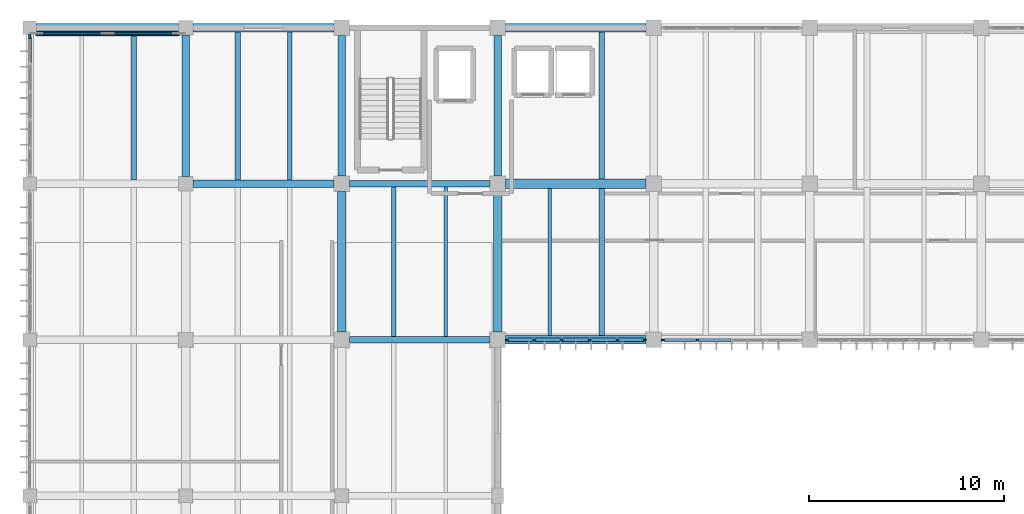
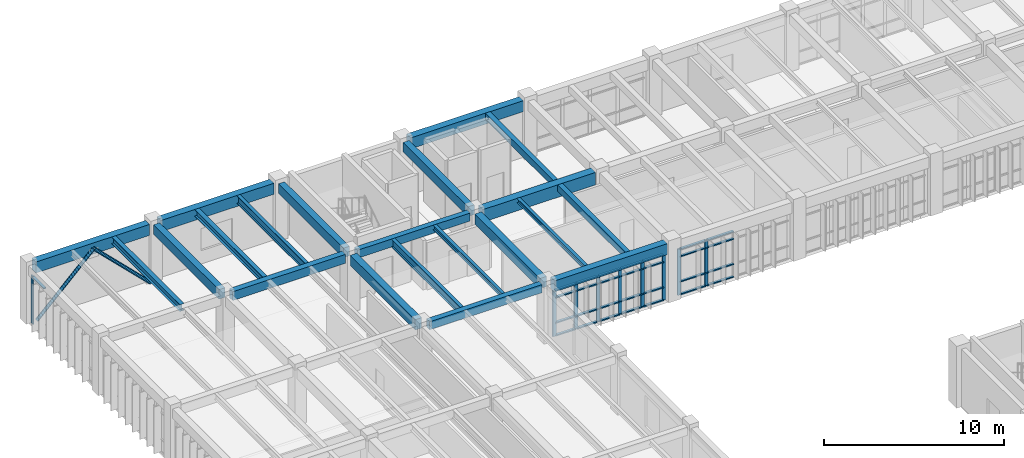
# One storey, part 17 of 67: 40 members, 21 beams, 3 elements without a shape of their own.
"""IFC4 building model written with IfcOpenShell, lengths in metres."""

from ifc_helpers import new_model, si_unit, direction, frame, origin, origin_2d, place, context, subcontext, project, spatial, rectangle, hollow_circle, i_section, extrude, material, material_profile, profile_set, type_object, element, aggregate, save


model = new_model("IFC4")

# Units and contexts
model_context = context("Model", 3, precision=1e-05, world=origin(), true_north=direction((0.0, 1.0)))
body_context = subcontext(model_context, "Body", "Model", "MODEL_VIEW")
ifc_project = project(units=[si_unit("LENGTHUNIT", "METRE"), si_unit("AREAUNIT", "SQUARE_METRE"), si_unit("VOLUMEUNIT", "CUBIC_METRE"), si_unit("PLANEANGLEUNIT", "RADIAN"), si_unit("MASSUNIT", "GRAM", prefix="KILO")], contexts=[model_context])

# Site, building, storey
site_placement = place(None, origin())
site = spatial("IfcSite", under=ifc_project, at=site_placement, CompositionType="ELEMENT")
building_placement = place(site_placement, origin())
building = spatial("IfcBuilding", under=site, at=building_placement, Name="Tlaxcora Railside Police Headquarters", CompositionType="ELEMENT")
storey_placement = place(building_placement, frame((0.0, 0.0, 4.800048828125)))
storey = spatial("IfcBuildingStorey", under=building, at=storey_placement, Name="L01", CompositionType="ELEMENT", Elevation=4.800048828125)

# Curtain wall, members
ifc_material_1 = material(Name="Thermally broken low-E insulated glazing", Category="glass")
curtain_wall_type_1 = type_object("IfcCurtainWallType", Name="Unitised Curtain Wall Assembly CW-23", PredefinedType="NOTDEFINED", material=ifc_material_1)
curtain_wall_1_placement = place(storey_placement, origin())
curtain_wall_1 = element("IfcCurtainWall", 1, at=curtain_wall_1_placement, inside=storey, type_object=curtain_wall_type_1, Name="V5 L01 curtain wall 32", PredefinedType="NOTDEFINED")
ifc_material_2 = material(Name="Anodised aluminium framing", Category="aluminium")
ifc_material_profile_1 = material_profile(ifc_material_2, rectangle(XDim=0.080078125, YDim=0.219970703125, at=origin_2d()), Name="AL80X220")
ifc_profile_set_1 = profile_set([ifc_material_profile_1], Name="Anodised aluminium framing")
member_type_1 = type_object("IfcMemberType", Name="Curtain Wall Mullion CW-31", PredefinedType="MULLION", material=ifc_profile_set_1)
member_1_placement = place(storey_placement, frame((29.68994140625, 76.800048828125, 0.0), z_axis=(0.0, 0.0, 1.0), x_axis=(0.0, 1.0, 0.0)))
member_1 = element("IfcMember", 2, at=member_1_placement, type_object=member_type_1, Name="CW mullion 1", PredefinedType="MULLION", context=body_context, shape_type="SweptSolid", body=[
    extrude(rectangle(XDim=0.080078125, YDim=0.219970703125, at=origin_2d()), origin(), (0.0, 0.0, 1.0), 3.139892578125),
])
member_2_placement = place(storey_placement, frame((31.070068359375, 76.800048828125, 0.0), z_axis=(0.0, 0.0, 1.0), x_axis=(0.0, 1.0, 0.0)))
member_2 = element("IfcMember", 3, at=member_2_placement, type_object=member_type_1, Name="CW mullion 2", PredefinedType="MULLION", context=body_context, shape_type="SweptSolid", body=[
    extrude(rectangle(XDim=0.080078125, YDim=0.219970703125, at=origin_2d()), origin(), (0.0, 0.0, 1.0), 3.139892578125),
])
member_3_placement = place(storey_placement, frame((32.489990234375, 76.800048828125, 0.0), z_axis=(0.0, 0.0, 1.0), x_axis=(0.0, 1.0, 0.0)))
member_3 = element("IfcMember", 4, at=member_3_placement, type_object=member_type_1, Name="CW mullion 3", PredefinedType="MULLION", context=body_context, shape_type="SweptSolid", body=[
    extrude(rectangle(XDim=0.080078125, YDim=0.219970703125, at=origin_2d()), origin(), (0.0, 0.0, 1.0), 3.139892578125),
])
member_4_placement = place(storey_placement, frame((33.909912109375, 76.800048828125, 0.0), z_axis=(0.0, 0.0, 1.0), x_axis=(0.0, 1.0, 0.0)))
member_4 = element("IfcMember", 5, at=member_4_placement, type_object=member_type_1, Name="CW mullion 4", PredefinedType="MULLION", context=body_context, shape_type="SweptSolid", body=[
    extrude(rectangle(XDim=0.080078125, YDim=0.219970703125, at=origin_2d()), origin(), (0.0, 0.0, 1.0), 3.139892578125),
])
member_5_placement = place(storey_placement, frame((35.330078125, 76.800048828125, 0.0), z_axis=(0.0, 0.0, 1.0), x_axis=(0.0, 1.0, 0.0)))
member_5 = element("IfcMember", 6, at=member_5_placement, type_object=member_type_1, Name="CW mullion 5", PredefinedType="MULLION", context=body_context, shape_type="SweptSolid", body=[
    extrude(rectangle(XDim=0.080078125, YDim=0.219970703125, at=origin_2d()), origin(), (0.0, 0.0, 1.0), 3.139892578125),
])
member_6_placement = place(storey_placement, frame((36.7099609375, 76.800048828125, 0.0), z_axis=(0.0, 0.0, 1.0), x_axis=(0.0, 1.0, 0.0)))
member_6 = element("IfcMember", 7, at=member_6_placement, type_object=member_type_1, Name="CW mullion 6", PredefinedType="MULLION", context=body_context, shape_type="SweptSolid", body=[
    extrude(rectangle(XDim=0.080078125, YDim=0.219970703125, at=origin_2d()), origin(), (0.0, 0.0, 1.0), 3.139892578125),
])

# Curtain wall, member
curtain_wall_2_placement = place(storey_placement, origin())
curtain_wall_2 = element("IfcCurtainWall", 8, at=curtain_wall_2_placement, inside=storey, type_object=curtain_wall_type_1, Name="V5 L01 curtain wall 44", PredefinedType="NOTDEFINED")
member_7_placement = place(storey_placement, frame((5.199951171875, 92.360107421875, 0.0), z_axis=(0.0, 0.0, 1.0), x_axis=(1.0, 0.0, 0.0)))
member_7 = element("IfcMember", 9, at=member_7_placement, type_object=member_type_1, Name="CW mullion 1", PredefinedType="MULLION", context=body_context, shape_type="SweptSolid", body=[
    extrude(rectangle(XDim=0.080078125, YDim=0.219970703125, at=origin_2d()), origin(), (0.0, 0.0, 1.0), 3.239990234375),
])

# Curtain wall, members
curtain_wall_type_2 = type_object("IfcCurtainWallType", Name="Unitised Curtain Wall Assembly CW-38", PredefinedType="NOTDEFINED", material=ifc_material_1)
curtain_wall_3_placement = place(storey_placement, origin())
curtain_wall_3 = element("IfcCurtainWall", 10, at=curtain_wall_3_placement, inside=storey, type_object=curtain_wall_type_2, Name="V5 L01 curtain wall 33", PredefinedType="NOTDEFINED")
ifc_material_profile_2 = material_profile(ifc_material_2, rectangle(XDim=0.074951171875, YDim=0.205078125, at=origin_2d()), Name="AL75X205")
ifc_profile_set_2 = profile_set([ifc_material_profile_2], Name="Anodised aluminium framing")
member_type_2 = type_object("IfcMemberType", Name="Curtain Wall Mullion CW-32", PredefinedType="MULLION", material=ifc_profile_set_2)
member_8_placement = place(storey_placement, frame((37.6875, 76.800048828125, 0.0), z_axis=(0.0, 0.0, 1.0), x_axis=(0.0, 1.0, 0.0)))
member_8 = element("IfcMember", 11, at=member_8_placement, type_object=member_type_2, Name="CW mullion 1", PredefinedType="MULLION", context=body_context, shape_type="SweptSolid", body=[
    extrude(rectangle(XDim=0.074951171875, YDim=0.205078125, at=origin_2d()), origin(), (0.0, 0.0, 1.0), 3.139892578125),
])
member_9_placement = place(storey_placement, frame((39.425048828125, 76.800048828125, 0.0), z_axis=(0.0, 0.0, 1.0), x_axis=(0.0, 1.0, 0.0)))
member_9 = element("IfcMember", 12, at=member_9_placement, type_object=member_type_2, Name="CW mullion 2", PredefinedType="MULLION", context=body_context, shape_type="SweptSolid", body=[
    extrude(rectangle(XDim=0.074951171875, YDim=0.205078125, at=origin_2d()), origin(), (0.0, 0.0, 1.0), 3.139892578125),
])
ifc_material_profile_3 = material_profile(ifc_material_2, rectangle(XDim=0.155029296875, YDim=0.074951171875, at=origin_2d()), Name="AL75X155")
ifc_profile_set_3 = profile_set([ifc_material_profile_3], Name="Anodised aluminium framing")
member_type_3 = type_object("IfcMemberType", Name="Curtain Wall Transom CW-30", PredefinedType="USERDEFINED", material=ifc_profile_set_3)
member_10_placement = place(storey_placement, frame((37.72509765625, 76.800048828125, 0.037353515625), z_axis=(1.0, 0.0, 0.0), x_axis=(0.0, 1.0, 0.0)))
member_10 = element("IfcMember", 13, at=member_10_placement, type_object=member_type_3, Name="CW transom 1.1", ObjectType="TRANSOM", PredefinedType="USERDEFINED", context=body_context, shape_type="SweptSolid", body=[
    extrude(rectangle(XDim=0.155029296875, YDim=0.074951171875, at=origin_2d()), origin(), (0.0, 0.0, 1.0), 1.662353515625),
])
member_11_placement = place(storey_placement, frame((37.72509765625, 76.800048828125, 0.89990234375), z_axis=(1.0, 0.0, 0.0), x_axis=(0.0, 1.0, 0.0)))
member_11 = element("IfcMember", 14, at=member_11_placement, type_object=member_type_3, Name="CW transom 1.2", ObjectType="TRANSOM", PredefinedType="USERDEFINED", context=body_context, shape_type="SweptSolid", body=[
    extrude(rectangle(XDim=0.155029296875, YDim=0.074951171875, at=origin_2d()), origin(), (0.0, 0.0, 1.0), 1.662353515625),
])
member_12_placement = place(storey_placement, frame((37.72509765625, 76.800048828125, 2.60986328125), z_axis=(1.0, 0.0, 0.0), x_axis=(0.0, 1.0, 0.0)))
member_12 = element("IfcMember", 15, at=member_12_placement, type_object=member_type_3, Name="CW transom 1.3", ObjectType="TRANSOM", PredefinedType="USERDEFINED", context=body_context, shape_type="SweptSolid", body=[
    extrude(rectangle(XDim=0.155029296875, YDim=0.074951171875, at=origin_2d()), origin(), (0.0, 0.0, 1.0), 1.662353515625),
])
member_13_placement = place(storey_placement, frame((37.72509765625, 76.800048828125, 3.1025390625), z_axis=(1.0, 0.0, 0.0), x_axis=(0.0, 1.0, 0.0)))
member_13 = element("IfcMember", 16, at=member_13_placement, type_object=member_type_3, Name="CW transom 1.4", ObjectType="TRANSOM", PredefinedType="USERDEFINED", context=body_context, shape_type="SweptSolid", body=[
    extrude(rectangle(XDim=0.155029296875, YDim=0.074951171875, at=origin_2d()), origin(), (0.0, 0.0, 1.0), 1.662353515625),
])
member_14_placement = place(storey_placement, frame((39.46240234375, 76.800048828125, 0.037353515625), z_axis=(1.0, 0.0, 0.0), x_axis=(0.0, 1.0, 0.0)))
member_14 = element("IfcMember", 17, at=member_14_placement, type_object=member_type_3, Name="CW transom 2.1", ObjectType="TRANSOM", PredefinedType="USERDEFINED", context=body_context, shape_type="SweptSolid", body=[
    extrude(rectangle(XDim=0.155029296875, YDim=0.074951171875, at=origin_2d()), origin(), (0.0, 0.0, 1.0), 1.7001953125),
])
member_15_placement = place(storey_placement, frame((39.46240234375, 76.800048828125, 0.89990234375), z_axis=(1.0, 0.0, 0.0), x_axis=(0.0, 1.0, 0.0)))
member_15 = element("IfcMember", 18, at=member_15_placement, type_object=member_type_3, Name="CW transom 2.2", ObjectType="TRANSOM", PredefinedType="USERDEFINED", context=body_context, shape_type="SweptSolid", body=[
    extrude(rectangle(XDim=0.155029296875, YDim=0.074951171875, at=origin_2d()), origin(), (0.0, 0.0, 1.0), 1.7001953125),
])
member_16_placement = place(storey_placement, frame((39.46240234375, 76.800048828125, 2.60986328125), z_axis=(1.0, 0.0, 0.0), x_axis=(0.0, 1.0, 0.0)))
member_16 = element("IfcMember", 19, at=member_16_placement, type_object=member_type_3, Name="CW transom 2.3", ObjectType="TRANSOM", PredefinedType="USERDEFINED", context=body_context, shape_type="SweptSolid", body=[
    extrude(rectangle(XDim=0.155029296875, YDim=0.074951171875, at=origin_2d()), origin(), (0.0, 0.0, 1.0), 1.7001953125),
])
member_17_placement = place(storey_placement, frame((39.46240234375, 76.800048828125, 3.1025390625), z_axis=(1.0, 0.0, 0.0), x_axis=(0.0, 1.0, 0.0)))
member_17 = element("IfcMember", 20, at=member_17_placement, type_object=member_type_3, Name="CW transom 2.4", ObjectType="TRANSOM", PredefinedType="USERDEFINED", context=body_context, shape_type="SweptSolid", body=[
    extrude(rectangle(XDim=0.155029296875, YDim=0.074951171875, at=origin_2d()), origin(), (0.0, 0.0, 1.0), 1.7001953125),
])
aggregate(curtain_wall_3, [member_8, member_9, member_10, member_11, member_12, member_13, member_14, member_15, member_16, member_17])

# Member
ifc_material_profile_4 = material_profile(ifc_material_2, rectangle(XDim=0.1650390625, YDim=0.080078125, at=origin_2d()), Name="AL80X165")
ifc_profile_set_4 = profile_set([ifc_material_profile_4], Name="Anodised aluminium framing")
member_type_4 = type_object("IfcMemberType", Name="Curtain Wall Transom CW-62", PredefinedType="USERDEFINED", material=ifc_profile_set_4)
member_18_placement = place(storey_placement, frame((29.72998046875, 76.800048828125, 0.0400390625), z_axis=(1.0, 0.0, 0.0), x_axis=(0.0, 1.0, 0.0)))
member_18 = element("IfcMember", 21, at=member_18_placement, type_object=member_type_4, Name="CW transom 1.1", ObjectType="TRANSOM", PredefinedType="USERDEFINED", context=body_context, shape_type="SweptSolid", body=[
    extrude(rectangle(XDim=0.1650390625, YDim=0.080078125, at=origin_2d()), origin(), (0.0, 0.0, 1.0), 1.300048828125),
])

member_19_placement = place(storey_placement, frame((29.72998046875, 76.800048828125, 0.89990234375), z_axis=(1.0, 0.0, 0.0), x_axis=(0.0, 1.0, 0.0)))
member_19 = element("IfcMember", 22, at=member_19_placement, type_object=member_type_4, Name="CW transom 1.2", ObjectType="TRANSOM", PredefinedType="USERDEFINED", context=body_context, shape_type="SweptSolid", body=[
    extrude(rectangle(XDim=0.1650390625, YDim=0.080078125, at=origin_2d()), origin(), (0.0, 0.0, 1.0), 1.300048828125),
])

member_20_placement = place(storey_placement, frame((29.72998046875, 76.800048828125, 2.60986328125), z_axis=(1.0, 0.0, 0.0), x_axis=(0.0, 1.0, 0.0)))
member_20 = element("IfcMember", 23, at=member_20_placement, type_object=member_type_4, Name="CW transom 1.3", ObjectType="TRANSOM", PredefinedType="USERDEFINED", context=body_context, shape_type="SweptSolid", body=[
    extrude(rectangle(XDim=0.1650390625, YDim=0.080078125, at=origin_2d()), origin(), (0.0, 0.0, 1.0), 1.300048828125),
])

member_21_placement = place(storey_placement, frame((29.72998046875, 76.800048828125, 3.099853515625), z_axis=(1.0, 0.0, 0.0), x_axis=(0.0, 1.0, 0.0)))
member_21 = element("IfcMember", 24, at=member_21_placement, type_object=member_type_4, Name="CW transom 1.4", ObjectType="TRANSOM", PredefinedType="USERDEFINED", context=body_context, shape_type="SweptSolid", body=[
    extrude(rectangle(XDim=0.1650390625, YDim=0.080078125, at=origin_2d()), origin(), (0.0, 0.0, 1.0), 1.300048828125),
])

member_22_placement = place(storey_placement, frame((31.110107421875, 76.800048828125, 0.0400390625), z_axis=(1.0, 0.0, 0.0), x_axis=(0.0, 1.0, 0.0)))
member_22 = element("IfcMember", 25, at=member_22_placement, type_object=member_type_4, Name="CW transom 2.1", ObjectType="TRANSOM", PredefinedType="USERDEFINED", context=body_context, shape_type="SweptSolid", body=[
    extrude(rectangle(XDim=0.1650390625, YDim=0.080078125, at=origin_2d()), origin(), (0.0, 0.0, 1.0), 1.33984375),
])

member_23_placement = place(storey_placement, frame((31.110107421875, 76.800048828125, 0.89990234375), z_axis=(1.0, 0.0, 0.0), x_axis=(0.0, 1.0, 0.0)))
member_23 = element("IfcMember", 26, at=member_23_placement, type_object=member_type_4, Name="CW transom 2.2", ObjectType="TRANSOM", PredefinedType="USERDEFINED", context=body_context, shape_type="SweptSolid", body=[
    extrude(rectangle(XDim=0.1650390625, YDim=0.080078125, at=origin_2d()), origin(), (0.0, 0.0, 1.0), 1.33984375),
])

member_24_placement = place(storey_placement, frame((31.110107421875, 76.800048828125, 2.60986328125), z_axis=(1.0, 0.0, 0.0), x_axis=(0.0, 1.0, 0.0)))
member_24 = element("IfcMember", 27, at=member_24_placement, type_object=member_type_4, Name="CW transom 2.3", ObjectType="TRANSOM", PredefinedType="USERDEFINED", context=body_context, shape_type="SweptSolid", body=[
    extrude(rectangle(XDim=0.1650390625, YDim=0.080078125, at=origin_2d()), origin(), (0.0, 0.0, 1.0), 1.33984375),
])

member_25_placement = place(storey_placement, frame((31.110107421875, 76.800048828125, 3.099853515625), z_axis=(1.0, 0.0, 0.0), x_axis=(0.0, 1.0, 0.0)))
member_25 = element("IfcMember", 28, at=member_25_placement, type_object=member_type_4, Name="CW transom 2.4", ObjectType="TRANSOM", PredefinedType="USERDEFINED", context=body_context, shape_type="SweptSolid", body=[
    extrude(rectangle(XDim=0.1650390625, YDim=0.080078125, at=origin_2d()), origin(), (0.0, 0.0, 1.0), 1.33984375),
])

member_26_placement = place(storey_placement, frame((32.530029296875, 76.800048828125, 0.0400390625), z_axis=(1.0, 0.0, 0.0), x_axis=(0.0, 1.0, 0.0)))
member_26 = element("IfcMember", 29, at=member_26_placement, type_object=member_type_4, Name="CW transom 3.1", ObjectType="TRANSOM", PredefinedType="USERDEFINED", context=body_context, shape_type="SweptSolid", body=[
    extrude(rectangle(XDim=0.1650390625, YDim=0.080078125, at=origin_2d()), origin(), (0.0, 0.0, 1.0), 1.340087890625),
])

member_27_placement = place(storey_placement, frame((32.530029296875, 76.800048828125, 0.89990234375), z_axis=(1.0, 0.0, 0.0), x_axis=(0.0, 1.0, 0.0)))
member_27 = element("IfcMember", 30, at=member_27_placement, type_object=member_type_4, Name="CW transom 3.2", ObjectType="TRANSOM", PredefinedType="USERDEFINED", context=body_context, shape_type="SweptSolid", body=[
    extrude(rectangle(XDim=0.1650390625, YDim=0.080078125, at=origin_2d()), origin(), (0.0, 0.0, 1.0), 1.340087890625),
])

member_28_placement = place(storey_placement, frame((32.530029296875, 76.800048828125, 2.60986328125), z_axis=(1.0, 0.0, 0.0), x_axis=(0.0, 1.0, 0.0)))
member_28 = element("IfcMember", 31, at=member_28_placement, type_object=member_type_4, Name="CW transom 3.3", ObjectType="TRANSOM", PredefinedType="USERDEFINED", context=body_context, shape_type="SweptSolid", body=[
    extrude(rectangle(XDim=0.1650390625, YDim=0.080078125, at=origin_2d()), origin(), (0.0, 0.0, 1.0), 1.340087890625),
])

member_29_placement = place(storey_placement, frame((32.530029296875, 76.800048828125, 3.099853515625), z_axis=(1.0, 0.0, 0.0), x_axis=(0.0, 1.0, 0.0)))
member_29 = element("IfcMember", 32, at=member_29_placement, type_object=member_type_4, Name="CW transom 3.4", ObjectType="TRANSOM", PredefinedType="USERDEFINED", context=body_context, shape_type="SweptSolid", body=[
    extrude(rectangle(XDim=0.1650390625, YDim=0.080078125, at=origin_2d()), origin(), (0.0, 0.0, 1.0), 1.340087890625),
])

member_30_placement = place(storey_placement, frame((33.949951171875, 76.800048828125, 0.0400390625), z_axis=(1.0, 0.0, 0.0), x_axis=(0.0, 1.0, 0.0)))
member_30 = element("IfcMember", 33, at=member_30_placement, type_object=member_type_4, Name="CW transom 4.1", ObjectType="TRANSOM", PredefinedType="USERDEFINED", context=body_context, shape_type="SweptSolid", body=[
    extrude(rectangle(XDim=0.1650390625, YDim=0.080078125, at=origin_2d()), origin(), (0.0, 0.0, 1.0), 1.340087890625),
])

member_31_placement = place(storey_placement, frame((33.949951171875, 76.800048828125, 0.89990234375), z_axis=(1.0, 0.0, 0.0), x_axis=(0.0, 1.0, 0.0)))
member_31 = element("IfcMember", 34, at=member_31_placement, type_object=member_type_4, Name="CW transom 4.2", ObjectType="TRANSOM", PredefinedType="USERDEFINED", context=body_context, shape_type="SweptSolid", body=[
    extrude(rectangle(XDim=0.1650390625, YDim=0.080078125, at=origin_2d()), origin(), (0.0, 0.0, 1.0), 1.340087890625),
])

member_32_placement = place(storey_placement, frame((33.949951171875, 76.800048828125, 2.60986328125), z_axis=(1.0, 0.0, 0.0), x_axis=(0.0, 1.0, 0.0)))
member_32 = element("IfcMember", 35, at=member_32_placement, type_object=member_type_4, Name="CW transom 4.3", ObjectType="TRANSOM", PredefinedType="USERDEFINED", context=body_context, shape_type="SweptSolid", body=[
    extrude(rectangle(XDim=0.1650390625, YDim=0.080078125, at=origin_2d()), origin(), (0.0, 0.0, 1.0), 1.340087890625),
])

member_33_placement = place(storey_placement, frame((33.949951171875, 76.800048828125, 3.099853515625), z_axis=(1.0, 0.0, 0.0), x_axis=(0.0, 1.0, 0.0)))
member_33 = element("IfcMember", 36, at=member_33_placement, type_object=member_type_4, Name="CW transom 4.4", ObjectType="TRANSOM", PredefinedType="USERDEFINED", context=body_context, shape_type="SweptSolid", body=[
    extrude(rectangle(XDim=0.1650390625, YDim=0.080078125, at=origin_2d()), origin(), (0.0, 0.0, 1.0), 1.340087890625),
])

member_34_placement = place(storey_placement, frame((35.3701171875, 76.800048828125, 0.0400390625), z_axis=(1.0, 0.0, 0.0), x_axis=(0.0, 1.0, 0.0)))
member_34 = element("IfcMember", 37, at=member_34_placement, type_object=member_type_4, Name="CW transom 5.1", ObjectType="TRANSOM", PredefinedType="USERDEFINED", context=body_context, shape_type="SweptSolid", body=[
    extrude(rectangle(XDim=0.1650390625, YDim=0.080078125, at=origin_2d()), origin(), (0.0, 0.0, 1.0), 1.2998046875),
])

member_35_placement = place(storey_placement, frame((35.3701171875, 76.800048828125, 0.89990234375), z_axis=(1.0, 0.0, 0.0), x_axis=(0.0, 1.0, 0.0)))
member_35 = element("IfcMember", 38, at=member_35_placement, type_object=member_type_4, Name="CW transom 5.2", ObjectType="TRANSOM", PredefinedType="USERDEFINED", context=body_context, shape_type="SweptSolid", body=[
    extrude(rectangle(XDim=0.1650390625, YDim=0.080078125, at=origin_2d()), origin(), (0.0, 0.0, 1.0), 1.2998046875),
])

member_36_placement = place(storey_placement, frame((35.3701171875, 76.800048828125, 2.60986328125), z_axis=(1.0, 0.0, 0.0), x_axis=(0.0, 1.0, 0.0)))
member_36 = element("IfcMember", 39, at=member_36_placement, type_object=member_type_4, Name="CW transom 5.3", ObjectType="TRANSOM", PredefinedType="USERDEFINED", context=body_context, shape_type="SweptSolid", body=[
    extrude(rectangle(XDim=0.1650390625, YDim=0.080078125, at=origin_2d()), origin(), (0.0, 0.0, 1.0), 1.2998046875),
])

member_37_placement = place(storey_placement, frame((35.3701171875, 76.800048828125, 3.099853515625), z_axis=(1.0, 0.0, 0.0), x_axis=(0.0, 1.0, 0.0)))
member_37 = element("IfcMember", 40, at=member_37_placement, type_object=member_type_4, Name="CW transom 5.4", ObjectType="TRANSOM", PredefinedType="USERDEFINED", context=body_context, shape_type="SweptSolid", body=[
    extrude(rectangle(XDim=0.1650390625, YDim=0.080078125, at=origin_2d()), origin(), (0.0, 0.0, 1.0), 1.2998046875),
])

aggregate(curtain_wall_1, [member_1, member_2, member_3, member_4, member_5, member_6, member_18, member_19, member_20, member_21, member_22, member_23, member_24, member_25, member_26, member_27, member_28, member_29, member_30, member_31, member_32, member_33, member_34, member_35, member_36, member_37])

member_38_placement = place(storey_placement, frame((5.199951171875, 92.320068359375, 3.199951171875), z_axis=(0.0, -1.0, 0.0), x_axis=(1.0, 0.0, 0.0)))
member_38 = element("IfcMember", 41, at=member_38_placement, type_object=member_type_4, Name="CW transom 1.4", ObjectType="TRANSOM", PredefinedType="USERDEFINED", context=body_context, shape_type="SweptSolid", body=[
    extrude(rectangle(XDim=0.1650390625, YDim=0.080078125, at=origin_2d()), origin(), (0.0, 0.0, 1.0), 1.320068359375),
])

aggregate(curtain_wall_2, [member_7, member_38])

# Members
ifc_material_3 = material(Name="Steel ASTM A992 Grade 50", Category="steel")
ifc_material_profile_5 = material_profile(ifc_material_3, hollow_circle(Radius=0.109619140625, WallThickness=0.010009765625, at=origin_2d()), Name="CHS219X10")
ifc_profile_set_5 = profile_set([ifc_material_profile_5], Name="Steel ASTM A992 Grade 50")
member_type_5 = type_object("IfcMemberType", Name="Diagonal Brace Member MB-18", PredefinedType="BRACE", material=ifc_profile_set_5)
member_39_placement = place(storey_placement, frame((5.550048828125, 92.5, 0.0), z_axis=(0.711971340796, 0.0, 0.702208523079), x_axis=(0.0, 1.0, 0.0)))
element("IfcMember", 42, at=member_39_placement, inside=storey, type_object=member_type_5, Name="Chevron brace 1A", PredefinedType="BRACE", context=body_context, shape_type="SweptSolid", body=[
    extrude(hollow_circle(Radius=0.109619140625, WallThickness=0.010009765625, at=origin_2d()), origin(), (0.0, 0.0, 1.0), 5.12646484375),
])
member_40_placement = place(storey_placement, frame((12.85009765625, 92.5, 0.0), z_axis=(-0.711994822598, 0.0, 0.702184714013), x_axis=(0.0, -1.0, 0.0)))
element("IfcMember", 43, at=member_40_placement, inside=storey, type_object=member_type_5, Name="Chevron brace 1B", PredefinedType="BRACE", context=body_context, shape_type="SweptSolid", body=[
    extrude(hollow_circle(Radius=0.109619140625, WallThickness=0.010009765625, at=origin_2d()), origin(), (0.0, 0.0, 1.0), 5.126708984375),
])

# Beams
ifc_material_4 = material(Name="Concrete C40/50", Category="concrete")
ifc_material_profile_6 = material_profile(ifc_material_4, rectangle(XDim=0.449951171875, YDim=0.75, at=origin_2d()), Name="RC450X750")
ifc_profile_set_6 = profile_set([ifc_material_profile_6], Name="Concrete C40/50")
beam_type_1 = type_object("IfcBeamType", Name="Perimeter Spandrel Beam BM-86", PredefinedType="SPANDREL", material=ifc_profile_set_6)
beam_1_placement = place(storey_placement, frame((29.590087890625, 76.800048828125, 3.534912109375), z_axis=(1.0, 0.0, 0.0), x_axis=(0.0, 1.0, 0.0)))
element("IfcBeam", 44, at=beam_1_placement, inside=storey, type_object=beam_type_1, Name="V5 L01 X-girder Y=76.8", PredefinedType="SPANDREL", context=body_context, shape_type="SweptSolid", body=[
    extrude(rectangle(XDim=0.449951171875, YDim=0.75, at=origin_2d()), origin(), (0.0, 0.0, 1.0), 7.219970703125),
])
beam_2_placement = place(storey_placement, frame((5.5400390625, 92.800048828125, 3.534912109375), z_axis=(1.0, 0.0, 0.0), x_axis=(0.0, 1.0, 0.0)))
element("IfcBeam", 45, at=beam_2_placement, inside=storey, type_object=beam_type_1, Name="V5 L01 X-girder Y=92.8", PredefinedType="SPANDREL", context=body_context, shape_type="SweptSolid", body=[
    extrude(rectangle(XDim=0.449951171875, YDim=0.75, at=origin_2d()), origin(), (0.0, 0.0, 1.0), 7.294921875),
])
beam_3_placement = place(storey_placement, frame((13.56494140625, 92.800048828125, 3.534912109375), z_axis=(1.0, 0.0, 0.0), x_axis=(0.0, 1.0, 0.0)))
element("IfcBeam", 46, at=beam_3_placement, inside=storey, type_object=beam_type_1, Name="V5 L01 X-girder Y=92.8", PredefinedType="SPANDREL", context=body_context, shape_type="SweptSolid", body=[
    extrude(rectangle(XDim=0.449951171875, YDim=0.75, at=origin_2d()), origin(), (0.0, 0.0, 1.0), 7.2451171875),
])
beam_4_placement = place(storey_placement, frame((29.590087890625, 92.800048828125, 3.534912109375), z_axis=(1.0, 0.0, 0.0), x_axis=(0.0, 1.0, 0.0)))
element("IfcBeam", 47, at=beam_4_placement, inside=storey, type_object=beam_type_1, Name="V5 L01 X-girder Y=92.8", PredefinedType="SPANDREL", context=body_context, shape_type="SweptSolid", body=[
    extrude(rectangle(XDim=0.449951171875, YDim=0.75, at=origin_2d()), origin(), (0.0, 0.0, 1.0), 7.219970703125),
])
ifc_material_profile_7 = material_profile(ifc_material_4, rectangle(XDim=0.3798828125, YDim=0.60009765625, at=origin_2d()), Name="RC380X600")
ifc_profile_set_7 = profile_set([ifc_material_profile_7], Name="Concrete C40/50")
beam_type_2 = type_object("IfcBeamType", Name="Primary Frame Girder BM-22", PredefinedType="BEAM", material=ifc_profile_set_7)
beam_5_placement = place(storey_placement, frame((13.56494140625, 84.800048828125, 3.60986328125), z_axis=(1.0, 0.0, 0.0), x_axis=(0.0, 1.0, 0.0)))
element("IfcBeam", 48, at=beam_5_placement, inside=storey, type_object=beam_type_2, Name="V5 L01 X-girder Y=84.8", PredefinedType="BEAM", context=body_context, shape_type="SweptSolid", body=[
    extrude(rectangle(XDim=0.3798828125, YDim=0.60009765625, at=origin_2d()), origin(), (0.0, 0.0, 1.0), 7.2451171875),
])
ifc_material_profile_8 = material_profile(ifc_material_4, rectangle(XDim=0.419921875, YDim=0.699951171875, at=origin_2d()), Name="RC420X700")
ifc_profile_set_8 = profile_set([ifc_material_profile_8], Name="Concrete C40/50")
beam_type_3 = type_object("IfcBeamType", Name="Primary Frame Girder BM-35", PredefinedType="BEAM", material=ifc_profile_set_8)
for number, where, z_axis, x_axis, name in (
    (49, (21.199951171875, 77.18994140625, 3.56005859375), (0.0, 1.0, 0.0), (-1.0, 0.0, 0.0), "V5 L01 Y-girder X=21.2"),
    (50, (29.199951171875, 77.18994140625, 3.56005859375), (0.0, 1.0, 0.0), (-1.0, 0.0, 0.0), "V5 L01 Y-girder X=29.2"),
):
    element("IfcBeam", number, at=place(storey_placement, frame(where, z_axis=z_axis, x_axis=x_axis)), inside=storey, type_object=beam_type_3, Name=name, PredefinedType="BEAM", context=body_context, shape_type="SweptSolid", body=[
        extrude(rectangle(XDim=0.419921875, YDim=0.699951171875, at=origin_2d()), origin(), (0.0, 0.0, 1.0), 7.219970703125),
    ])
ifc_material_profile_9 = material_profile(ifc_material_4, rectangle(XDim=0.35009765625, YDim=0.550048828125, at=origin_2d()), Name="RC350X550")
ifc_profile_set_9 = profile_set([ifc_material_profile_9], Name="Concrete C40/50")
beam_type_4 = type_object("IfcBeamType", Name="Primary Frame Girder BM-39", PredefinedType="BEAM", material=ifc_profile_set_9)
for number, where, z_axis, x_axis, name in (
    (51, (21.590087890625, 76.800048828125, 3.635009765625), (1.0, 0.0, 0.0), (0.0, 1.0, 0.0), "V5 L01 X-girder Y=76.8"),
    (52, (21.590087890625, 84.800048828125, 3.635009765625), (1.0, 0.0, 0.0), (0.0, 1.0, 0.0), "V5 L01 X-girder Y=84.8"),
):
    element("IfcBeam", number, at=place(storey_placement, frame(where, z_axis=z_axis, x_axis=x_axis)), inside=storey, type_object=beam_type_4, Name=name, PredefinedType="BEAM", context=body_context, shape_type="SweptSolid", body=[
        extrude(rectangle(XDim=0.35009765625, YDim=0.550048828125, at=origin_2d()), origin(), (0.0, 0.0, 1.0), 7.219970703125),
    ])
ifc_material_profile_10 = material_profile(ifc_material_4, rectangle(XDim=0.39990234375, YDim=0.64990234375, at=origin_2d()), Name="RC400X650")
ifc_profile_set_10 = profile_set([ifc_material_profile_10], Name="Concrete C40/50")
beam_type_5 = type_object("IfcBeamType", Name="Primary Frame Girder BM-41", PredefinedType="BEAM", material=ifc_profile_set_10)
beam_6_placement = place(storey_placement, frame((13.199951171875, 85.1650390625, 3.5849609375), z_axis=(0.0, 1.0, 0.0), x_axis=(-1.0, 0.0, 0.0)))
element("IfcBeam", 53, at=beam_6_placement, inside=storey, type_object=beam_type_5, Name="V5 L01 Y-girder X=13.2", PredefinedType="BEAM", context=body_context, shape_type="SweptSolid", body=[
    extrude(rectangle(XDim=0.39990234375, YDim=0.64990234375, at=origin_2d()), origin(), (0.0, 0.0, 1.0), 7.27001953125),
])
for number, where, z_axis, x_axis, name in (
    (54, (21.199951171875, 85.18994140625, 3.5849609375), (0.0, 1.0, 0.0), (-1.0, 0.0, 0.0), "V5 L01 Y-girder X=21.2"),
    (55, (29.199951171875, 85.18994140625, 3.5849609375), (0.0, 1.0, 0.0), (-1.0, 0.0, 0.0), "V5 L01 Y-girder X=29.2"),
):
    element("IfcBeam", number, at=place(storey_placement, frame(where, z_axis=z_axis, x_axis=x_axis)), inside=storey, type_object=beam_type_5, Name=name, PredefinedType="BEAM", context=body_context, shape_type="SweptSolid", body=[
        extrude(rectangle(XDim=0.39990234375, YDim=0.64990234375, at=origin_2d()), origin(), (0.0, 0.0, 1.0), 7.219970703125),
    ])
ifc_material_profile_11 = material_profile(ifc_material_4, rectangle(XDim=0.5, YDim=0.85009765625, at=origin_2d()), Name="RC500X850")
ifc_profile_set_11 = profile_set([ifc_material_profile_11], Name="Concrete C40/50")
beam_type_6 = type_object("IfcBeamType", Name="Primary Frame Girder BM-64", PredefinedType="BEAM", material=ifc_profile_set_11)
beam_7_placement = place(storey_placement, frame((29.590087890625, 84.800048828125, 3.48486328125), z_axis=(1.0, 0.0, 0.0), x_axis=(0.0, 1.0, 0.0)))
element("IfcBeam", 56, at=beam_7_placement, inside=storey, type_object=beam_type_6, Name="V5 L01 X-girder Y=84.8", PredefinedType="BEAM", context=body_context, shape_type="SweptSolid", body=[
    extrude(rectangle(XDim=0.5, YDim=0.85009765625, at=origin_2d()), origin(), (0.0, 0.0, 1.0), 7.219970703125),
])
ifc_material_5 = material(Name="Concrete C35/45", Category="concrete")
ifc_material_profile_12 = material_profile(ifc_material_5, rectangle(XDim=0.300048828125, YDim=0.449951171875, at=origin_2d()), Name="RC300X450")
ifc_profile_set_12 = profile_set([ifc_material_profile_12], Name="Concrete C35/45")
beam_type_7 = type_object("IfcBeamType", Name="Secondary Floor Joist BM-27", PredefinedType="JOIST", material=ifc_profile_set_12)
for number, where, z_axis, x_axis, name in (
    (57, (34.533203125, 77.01708984375, 3.68505859375), (0.0, 1.0, 0.0), (-1.0, 0.0, 0.0), "V5 L01 floor joist X=34.53"),
    (58, (34.533203125, 85.0419921875, 3.68505859375), (0.0, 1.0, 0.0), (-1.0, 0.0, 0.0), "V5 L01 floor joist X=34.53"),
):
    element("IfcBeam", number, at=place(storey_placement, frame(where, z_axis=z_axis, x_axis=x_axis)), inside=storey, type_object=beam_type_7, Name=name, PredefinedType="JOIST", context=body_context, shape_type="SweptSolid", body=[
        extrude(rectangle(XDim=0.300048828125, YDim=0.449951171875, at=origin_2d()), origin(), (0.0, 0.0, 1.0), 7.541015625),
    ])
ifc_material_profile_13 = material_profile(ifc_material_3, i_section(OverallWidth=0.280029296875, OverallDepth=0.4619140625, WebThickness=0.0107421875, FlangeThickness=0.017333984375, at=origin_2d()), Name="W18X76")
ifc_profile_set_13 = profile_set([ifc_material_profile_13], Name="Steel ASTM A992 Grade 50")
beam_type_8 = type_object("IfcBeamType", Name="Secondary Floor Joist BM-44", PredefinedType="JOIST", material=ifc_profile_set_13)
beam_8_placement = place(storey_placement, frame((10.533203125, 84.991943359375, 3.678955078125), z_axis=(0.0, 1.0, 0.0), x_axis=(-1.0, 0.0, 0.0)))
element("IfcBeam", 59, at=beam_8_placement, inside=storey, type_object=beam_type_8, Name="V5 L01 floor joist X=10.53", PredefinedType="JOIST", context=body_context, shape_type="SweptSolid", body=[
    extrude(i_section(OverallWidth=0.280029296875, OverallDepth=0.4619140625, WebThickness=0.0107421875, FlangeThickness=0.017333984375, at=origin_2d()), origin(), (0.0, 0.0, 1.0), 7.591064453125),
])
beam_9_placement = place(storey_placement, frame((15.86669921875, 84.98193359375, 3.678955078125), z_axis=(0.0, 1.0, 0.0), x_axis=(-1.0, 0.0, 0.0)))
element("IfcBeam", 60, at=beam_9_placement, inside=storey, type_object=beam_type_8, Name="V5 L01 floor joist X=15.87", PredefinedType="JOIST", context=body_context, shape_type="SweptSolid", body=[
    extrude(i_section(OverallWidth=0.280029296875, OverallDepth=0.4619140625, WebThickness=0.0107421875, FlangeThickness=0.017333984375, at=origin_2d()), origin(), (0.0, 0.0, 1.0), 7.60107421875),
])
ifc_material_profile_14 = material_profile(ifc_material_3, i_section(OverallWidth=0.202880859375, OverallDepth=0.302978515625, WebThickness=0.007568359375, FlangeThickness=0.01318359375, at=origin_2d()), Name="W12X40")
ifc_profile_set_14 = profile_set([ifc_material_profile_14], Name="Steel ASTM A992 Grade 50")
beam_type_9 = type_object("IfcBeamType", Name="Secondary Floor Joist BM-96", PredefinedType="JOIST", material=ifc_profile_set_14)
beam_10_placement = place(storey_placement, frame((26.533203125, 76.967041015625, 3.758544921875), z_axis=(0.0, 1.0, 0.0), x_axis=(-1.0, 0.0, 0.0)))
element("IfcBeam", 61, at=beam_10_placement, inside=storey, type_object=beam_type_9, Name="V5 L01 floor joist X=26.53", PredefinedType="JOIST", context=body_context, shape_type="SweptSolid", body=[
    extrude(i_section(OverallWidth=0.202880859375, OverallDepth=0.302978515625, WebThickness=0.007568359375, FlangeThickness=0.01318359375, at=origin_2d()), origin(), (0.0, 0.0, 1.0), 7.666015625),
])
beam_11_placement = place(storey_placement, frame((31.86669921875, 77.01708984375, 3.758544921875), z_axis=(0.0, 1.0, 0.0), x_axis=(-1.0, 0.0, 0.0)))
element("IfcBeam", 62, at=beam_11_placement, inside=storey, type_object=beam_type_9, Name="V5 L01 floor joist X=31.87", PredefinedType="JOIST", context=body_context, shape_type="SweptSolid", body=[
    extrude(i_section(OverallWidth=0.202880859375, OverallDepth=0.302978515625, WebThickness=0.007568359375, FlangeThickness=0.01318359375, at=origin_2d()), origin(), (0.0, 0.0, 1.0), 7.541015625),
])
ifc_material_profile_15 = material_profile(ifc_material_3, i_section(OverallWidth=0.214111328125, OverallDepth=0.549072265625, WebThickness=0.0146484375, FlangeThickness=0.023681640625, at=origin_2d()), Name="W21X93")
ifc_profile_set_15 = profile_set([ifc_material_profile_15], Name="Steel ASTM A992 Grade 50")
beam_type_10 = type_object("IfcBeamType", Name="Secondary Floor Joist BM-97", PredefinedType="JOIST", material=ifc_profile_set_15)
beam_12_placement = place(storey_placement, frame((23.86669921875, 76.967041015625, 3.635498046875), z_axis=(0.0, 1.0, 0.0), x_axis=(-1.0, 0.0, 0.0)))
element("IfcBeam", 63, at=beam_12_placement, inside=storey, type_object=beam_type_10, Name="V5 L01 floor joist X=23.87", PredefinedType="JOIST", context=body_context, shape_type="SweptSolid", body=[
    extrude(i_section(OverallWidth=0.214111328125, OverallDepth=0.549072265625, WebThickness=0.0146484375, FlangeThickness=0.023681640625, at=origin_2d()), origin(), (0.0, 0.0, 1.0), 7.666015625),
])
beam_13_placement = place(storey_placement, frame((18.533203125, 84.98193359375, 3.635498046875), z_axis=(0.0, 1.0, 0.0), x_axis=(-1.0, 0.0, 0.0)))
element("IfcBeam", 64, at=beam_13_placement, inside=storey, type_object=beam_type_10, Name="V5 L01 floor joist X=18.53", PredefinedType="JOIST", context=body_context, shape_type="SweptSolid", body=[
    extrude(i_section(OverallWidth=0.214111328125, OverallDepth=0.549072265625, WebThickness=0.0146484375, FlangeThickness=0.023681640625, at=origin_2d()), origin(), (0.0, 0.0, 1.0), 7.60107421875),
])

save(model, "model.ifc")
